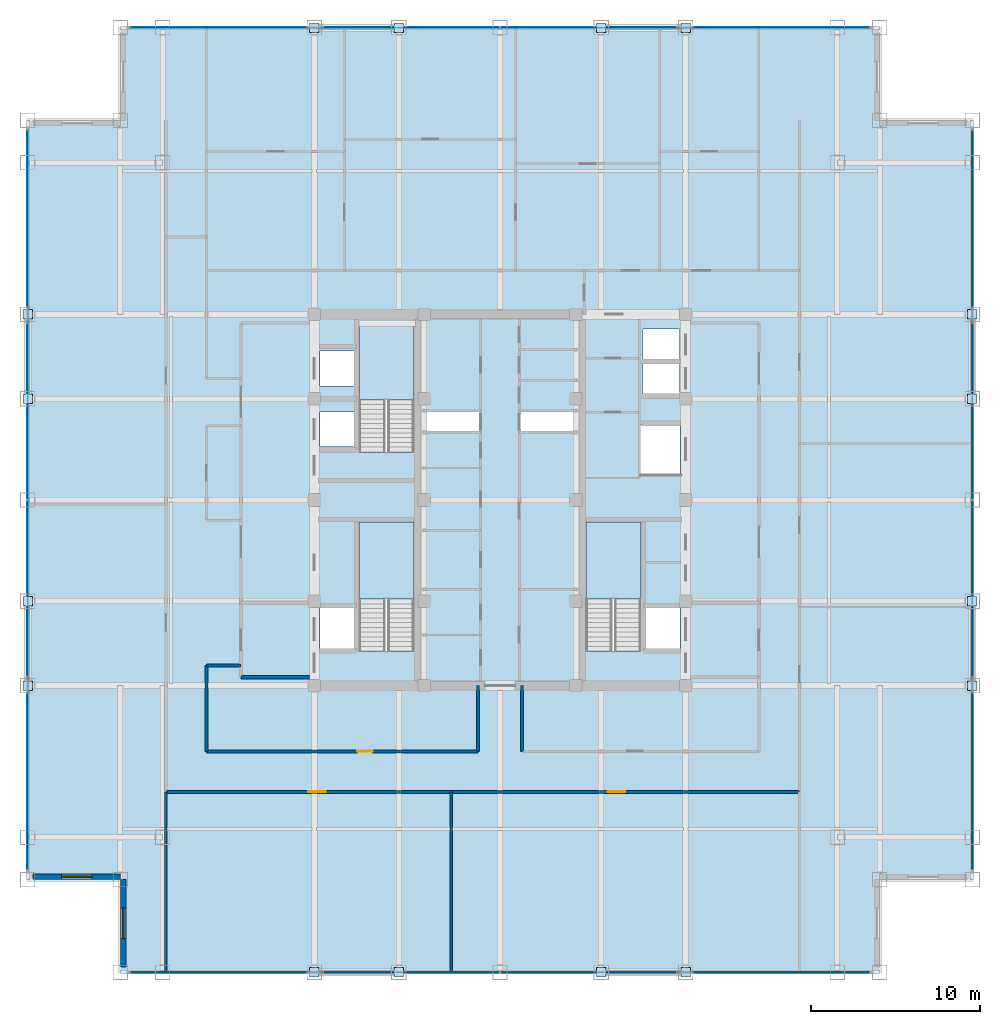
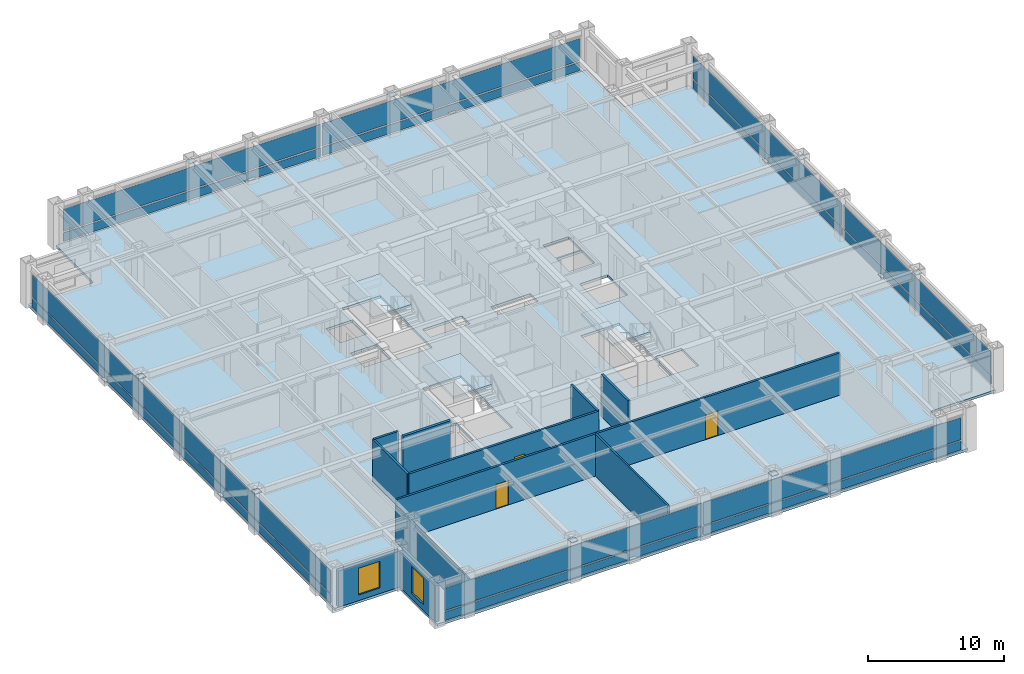
# One storey, part 17 of 22: 32 plates, 11 walls, 4 slabs, 3 doors, 2 windows, 5 openings, 7 elements without a shape of their own.
"""IFC4 building model written with IfcOpenShell, lengths in metres."""

from ifc_helpers import new_model, si_unit, direction, frame, frame_2d, origin, origin_2d, place, context, subcontext, project, spatial, polyline, rectangle, outline, extrude, source, transform, mapped, material, layer, layer_set, type_object, element, fill, aggregate, save


model = new_model("IFC4")

# Units and contexts
model_context = context("Model", 3, precision=1e-05, world=origin(), true_north=direction((0.0, 1.0)))
body_context = subcontext(model_context, "Body", "Model", "MODEL_VIEW")
ifc_project = project(units=[si_unit("LENGTHUNIT", "METRE"), si_unit("AREAUNIT", "SQUARE_METRE"), si_unit("VOLUMEUNIT", "CUBIC_METRE"), si_unit("PLANEANGLEUNIT", "RADIAN"), si_unit("MASSUNIT", "GRAM", prefix="KILO")], contexts=[model_context])

# Site, building, storey
site_placement = place(None, origin())
site = spatial("IfcSite", under=ifc_project, at=site_placement, CompositionType="ELEMENT")
building_placement = place(site_placement, origin())
building = spatial("IfcBuilding", under=site, at=building_placement, Name="Khorayat Bourse Tower", CompositionType="ELEMENT")
storey_placement = place(building_placement, frame((0.0, 0.0, 301.5)))
storey = spatial("IfcBuildingStorey", under=building, at=storey_placement, Name="L71", CompositionType="ELEMENT", Elevation=301.5)

# Stair, slab
ifc_material_1 = material(Name="Concrete C40/50", Category="concrete")
stair_type = type_object("IfcStairType", Name="STR-CORE-1550", PredefinedType="HALF_TURN_STAIR", material=ifc_material_1)
stair_1_placement = place(storey_placement, origin())
stair_1 = element("IfcStair", 1, at=stair_1_placement, inside=storey, type_object=stair_type, Name="L71 Exit Stair ST-1", PredefinedType="HALF_TURN_STAIR")
ifc_layer_1 = layer(ifc_material_1, 0.199951171875)
ifc_layer_set_1 = layer_set([ifc_layer_1], Name="Concrete C40/50")
slab_type_1 = type_object("IfcSlabType", Name="SLB-LANDING-200", PredefinedType="LANDING", material=ifc_layer_set_1)
slab_1_placement = place(storey_placement, frame((0.0, 0.0, 1.800048828125)))
slab_1 = element("IfcSlab", 2, at=slab_1_placement, type_object=slab_type_1, Name="ST-1 landing 1", PredefinedType="LANDING", context=body_context, shape_type="SweptSolid", body=[
    extrude(outline(polyline([(-5.10009765625, -5.8701171875), (-5.10009765625, -1.300048828125), (-8.35009765625, -1.300048828125), (-8.35009765625, -5.8701171875), (-5.10009765625, -5.8701171875)])), origin(), (0.0, 0.0, 1.0), 0.199951171875),
])
aggregate(stair_1, [slab_1])

stair_2_placement = place(storey_placement, origin())
stair_2 = element("IfcStair", 3, at=stair_2_placement, inside=storey, type_object=stair_type, Name="L71 Exit Stair ST-2", PredefinedType="HALF_TURN_STAIR")
slab_2_placement = place(storey_placement, frame((0.0, 0.0, 1.800048828125)))
slab_2 = element("IfcSlab", 4, at=slab_2_placement, type_object=slab_type_1, Name="ST-2 landing 1", PredefinedType="LANDING", context=body_context, shape_type="SweptSolid", body=[
    extrude(outline(polyline([(-5.10009765625, 5.929931640625), (-5.10009765625, 10.5), (-8.35009765625, 10.5), (-8.35009765625, 5.929931640625), (-5.10009765625, 5.929931640625)])), origin(), (0.0, 0.0, 1.0), 0.199951171875),
])
aggregate(stair_2, [slab_2])

stair_3_placement = place(storey_placement, origin())
stair_3 = element("IfcStair", 5, at=stair_3_placement, inside=storey, type_object=stair_type, Name="L71 Exit Stair ST-3", PredefinedType="HALF_TURN_STAIR")
slab_3_placement = place(storey_placement, frame((0.0, 0.0, 1.800048828125)))
slab_3 = element("IfcSlab", 6, at=slab_3_placement, type_object=slab_type_1, Name="ST-3 landing 1", PredefinedType="LANDING", context=body_context, shape_type="SweptSolid", body=[
    extrude(outline(polyline([(8.35009765625, -5.8701171875), (8.35009765625, -1.300048828125), (5.10009765625, -1.300048828125), (5.10009765625, -5.8701171875), (8.35009765625, -5.8701171875)])), origin(), (0.0, 0.0, 1.0), 0.199951171875),
])
aggregate(stair_3, [slab_3])

# Slab
ifc_layer_2 = layer(ifc_material_1, 0.219970703125)
ifc_layer_set_2 = layer_set([ifc_layer_2], Name="Concrete C40/50")
slab_type_2 = type_object("IfcSlabType", Name="SLB-OFFICE-220", PredefinedType="FLOOR", material=ifc_layer_set_2)
slab_4_placement = place(storey_placement, frame((0.0, 0.0, -0.219970703125)))
element("IfcSlab", 7, at=slab_4_placement, inside=storey, type_object=slab_type_2, Name="L71 Main Floor Slab", PredefinedType="FLOOR", context=body_context, shape_type="SweptSolid", body=[
    extrude(outline(polyline([(-22.5, -28.0), (22.5, -28.0), (22.5, -22.5), (28.0, -22.5), (28.0, 22.5), (22.5, 22.5), (22.5, 28.0), (-22.5, 28.0), (-22.5, 22.5), (-28.0, 22.5), (-28.0, -22.5), (-22.5, -22.5), (-22.5, -28.0)]), holes=[polyline([(-8.35009765625, -8.945068359375), (-5.10009765625, -8.945068359375), (-5.10009765625, -1.300048828125), (-8.35009765625, -1.300048828125), (-8.35009765625, -8.945068359375)]), polyline([(-8.35009765625, 2.85498046875), (-5.10009765625, 2.85498046875), (-5.10009765625, 10.5), (-8.35009765625, 10.5), (-8.35009765625, 2.85498046875)]), polyline([(5.10009765625, -8.945068359375), (8.35009765625, -8.945068359375), (8.35009765625, -1.300048828125), (5.10009765625, -1.300048828125), (5.10009765625, -8.945068359375)]), polyline([(-10.679931640625, 3.169921875), (-8.419921875, 3.169921875), (-8.419921875, 5.22998046875), (-10.679931640625, 5.22998046875), (-10.679931640625, 3.169921875)]), polyline([(-10.679931640625, 6.77001953125), (-8.419921875, 6.77001953125), (-8.419921875, 8.830078125), (-10.679931640625, 8.830078125), (-10.679931640625, 6.77001953125)]), polyline([(8.469970703125, 6.27001953125), (10.6298828125, 6.27001953125), (10.6298828125, 8.1298828125), (8.469970703125, 8.1298828125), (8.469970703125, 6.27001953125)]), polyline([(8.469970703125, 8.27001953125), (10.6298828125, 8.27001953125), (10.6298828125, 10.1298828125), (8.469970703125, 10.1298828125), (8.469970703125, 8.27001953125)]), polyline([(-10.679931640625, -8.929931640625), (-8.419921875, -8.929931640625), (-8.419921875, -6.3701171875), (-10.679931640625, -6.3701171875), (-10.679931640625, -8.929931640625)]), polyline([(8.419921875, -8.929931640625), (10.679931640625, -8.929931640625), (10.679931640625, -6.3701171875), (8.419921875, -6.3701171875), (8.419921875, -8.929931640625)]), polyline([(8.320068359375, 1.52001953125), (10.679931640625, 1.52001953125), (10.679931640625, 4.47998046875), (8.320068359375, 4.47998046875), (8.320068359375, 1.52001953125)]), polyline([(-4.56005859375, 4.080078125), (-1.18994140625, 4.080078125), (-1.18994140625, 5.219970703125), (-4.56005859375, 5.219970703125), (-4.56005859375, 4.080078125)]), polyline([(1.18994140625, 4.080078125), (4.56005859375, 4.080078125), (4.56005859375, 5.219970703125), (1.18994140625, 5.219970703125), (1.18994140625, 4.080078125)])]), origin(), (0.0, 0.0, 1.0), 0.219970703125),
])

# Plates
ifc_material_2 = material(Name="Steel EN 10025-2 S355J2", Category="steel")
ifc_layer_3 = layer(ifc_material_2, 0.02490234375)
ifc_layer_set_3 = layer_set([ifc_layer_3], Name="Steel EN 10025-2 S355J2")
plate_type_1 = type_object("IfcPlateType", Name="PLT-ENDCAP-25", PredefinedType="SHEET", material=ifc_layer_set_3)
shared_shape_1 = source(origin(), body_context, "Body", "SweptSolid", [
    extrude(rectangle(XDim=0.56005859375, YDim=0.56005859375, at=origin_2d()), origin(), (0.0, 0.0, 1.0), 0.02490234375),
])
for number, where, z_axis, x_axis, name in (
    (8, (-11.0, -28.0, 3.517578125), (0.0, 0.0, 1.0), (1.0, 0.0, 0.0), "L71 Perimeter Brace End Plate 001"),
    (9, (-6.0, -28.0, 0.237548828125), (0.0, 0.0, 1.0), (1.0, 0.0, 0.0), "L71 Perimeter Brace End Plate 002"),
    (10, (6.0, -28.0, 3.517578125), (0.0, 0.0, 1.0), (1.0, 0.0, 0.0), "L71 Perimeter Brace End Plate 003"),
    (11, (11.0, -28.0, 0.237548828125), (0.0, 0.0, 1.0), (1.0, 0.0, 0.0), "L71 Perimeter Brace End Plate 004"),
    (12, (-11.0, 28.0, 3.517578125), (0.0, 0.0, 1.0), (1.0, 0.0, 0.0), "L71 Perimeter Brace End Plate 005"),
    (13, (-6.0, 28.0, 0.237548828125), (0.0, 0.0, 1.0), (1.0, 0.0, 0.0), "L71 Perimeter Brace End Plate 006"),
    (14, (6.0, 28.0, 3.517578125), (0.0, 0.0, 1.0), (1.0, 0.0, 0.0), "L71 Perimeter Brace End Plate 007"),
    (15, (11.0, 28.0, 0.237548828125), (0.0, 0.0, 1.0), (1.0, 0.0, 0.0), "L71 Perimeter Brace End Plate 008"),
    (16, (-28.0, -11.0, 3.517578125), (0.0, 0.0, 1.0), (1.0, 0.0, 0.0), "L71 Perimeter Brace End Plate 009"),
    (17, (-28.0, -6.0, 0.237548828125), (0.0, 0.0, 1.0), (1.0, 0.0, 0.0), "L71 Perimeter Brace End Plate 010"),
    (18, (-28.0, 6.0, 3.517578125), (0.0, 0.0, 1.0), (1.0, 0.0, 0.0), "L71 Perimeter Brace End Plate 011"),
    (19, (-28.0, 11.0, 0.237548828125), (0.0, 0.0, 1.0), (1.0, 0.0, 0.0), "L71 Perimeter Brace End Plate 012"),
    (20, (28.0, -11.0, 3.517578125), (0.0, 0.0, 1.0), (1.0, 0.0, 0.0), "L71 Perimeter Brace End Plate 013"),
    (21, (28.0, -6.0, 0.237548828125), (0.0, 0.0, 1.0), (1.0, 0.0, 0.0), "L71 Perimeter Brace End Plate 014"),
    (22, (28.0, 6.0, 3.517578125), (0.0, 0.0, 1.0), (1.0, 0.0, 0.0), "L71 Perimeter Brace End Plate 015"),
    (23, (28.0, 11.0, 0.237548828125), (0.0, 0.0, 1.0), (1.0, 0.0, 0.0), "L71 Perimeter Brace End Plate 016"),
):
    element("IfcPlate", number, at=place(storey_placement, frame(where, z_axis=z_axis, x_axis=x_axis)), inside=storey, type_object=plate_type_1, Name=name, PredefinedType="SHEET", context=body_context, shape_type="MappedRepresentation", body=[
        mapped(shared_shape_1, transform((0.0, 0.0, 0.0), scale=1.0)),
    ])

# Curtain wall, plates
ifc_material_3 = material(Name="Aluminium EN AW-6063 T6", Category="aluminium")
curtain_wall_type = type_object("IfcCurtainWallType", Name="CW-SYS-04", PredefinedType="NOTDEFINED", material=ifc_material_3)
curtain_wall_1_placement = place(storey_placement, origin())
curtain_wall_1 = element("IfcCurtainWall", 24, at=curtain_wall_1_placement, inside=storey, type_object=curtain_wall_type, Name="L71 Curtain Wall CW-L71-S1", PredefinedType="NOTDEFINED")
ifc_material_4 = material(Name="Honed desert limestone insulated spandrel", Category="masonry")
ifc_layer_4 = layer(ifc_material_4, 0.06494140625)
ifc_layer_set_4 = layer_set([ifc_layer_4], Name="Honed desert limestone insulated spandrel")
plate_type_2 = type_object("IfcPlateType", Name="CWP-SPAND-03", PredefinedType="CURTAIN_PANEL", material=ifc_layer_set_4)
shared_shape_2 = source(origin(), body_context, "Body", "SweptSolid", [
    extrude(rectangle(XDim=21.820068359375, YDim=0.06494140625, at=origin_2d()), origin(), (0.0, 0.0, 1.0), 0.77001953125),
])
plate_1_placement = place(storey_placement, frame((-10.969970703125, -28.0, 0.119873046875), z_axis=(0.0, 0.0, 1.0), x_axis=(1.0, 0.0, 0.0)))
plate_1 = element("IfcPlate", 25, at=plate_1_placement, type_object=plate_type_2, Name="CW-L71-S1 Spandrel Panel 1-1", PredefinedType="CURTAIN_PANEL", context=body_context, shape_type="MappedRepresentation", body=[
    mapped(shared_shape_2, transform((0.0, 0.0, 0.0), scale=1.0)),
])
plate_2_placement = place(storey_placement, frame((10.969970703125, -28.0, 0.119873046875), z_axis=(0.0, 0.0, 1.0), x_axis=(1.0, 0.0, 0.0)))
plate_2 = element("IfcPlate", 26, at=plate_2_placement, type_object=plate_type_2, Name="CW-L71-S1 Spandrel Panel 2-1", PredefinedType="CURTAIN_PANEL", context=body_context, shape_type="MappedRepresentation", body=[
    mapped(shared_shape_2, transform((0.0, 0.0, 0.0), scale=1.0)),
])

curtain_wall_2_placement = place(storey_placement, origin())
curtain_wall_2 = element("IfcCurtainWall", 27, at=curtain_wall_2_placement, inside=storey, type_object=curtain_wall_type, Name="L71 Curtain Wall CW-L71-N1", PredefinedType="NOTDEFINED")
plate_3_placement = place(storey_placement, frame((-10.969970703125, 28.0, 0.119873046875), z_axis=(0.0, 0.0, 1.0), x_axis=(1.0, 0.0, 0.0)))
plate_3 = element("IfcPlate", 28, at=plate_3_placement, type_object=plate_type_2, Name="CW-L71-N1 Spandrel Panel 1-1", PredefinedType="CURTAIN_PANEL", context=body_context, shape_type="MappedRepresentation", body=[
    mapped(shared_shape_2, transform((0.0, 0.0, 0.0), scale=1.0)),
])
plate_4_placement = place(storey_placement, frame((10.969970703125, 28.0, 0.119873046875), z_axis=(0.0, 0.0, 1.0), x_axis=(1.0, 0.0, 0.0)))
plate_4 = element("IfcPlate", 29, at=plate_4_placement, type_object=plate_type_2, Name="CW-L71-N1 Spandrel Panel 2-1", PredefinedType="CURTAIN_PANEL", context=body_context, shape_type="MappedRepresentation", body=[
    mapped(shared_shape_2, transform((0.0, 0.0, 0.0), scale=1.0)),
])

curtain_wall_3_placement = place(storey_placement, origin())
curtain_wall_3 = element("IfcCurtainWall", 30, at=curtain_wall_3_placement, inside=storey, type_object=curtain_wall_type, Name="L71 Curtain Wall CW-L71-W1", PredefinedType="NOTDEFINED")
plate_5_placement = place(storey_placement, frame((-28.0, -10.969970703125, 0.119873046875), z_axis=(0.0, 0.0, 1.0), x_axis=(0.0, 1.0, 0.0)))
plate_5 = element("IfcPlate", 31, at=plate_5_placement, type_object=plate_type_2, Name="CW-L71-W1 Spandrel Panel 1-1", PredefinedType="CURTAIN_PANEL", context=body_context, shape_type="MappedRepresentation", body=[
    mapped(shared_shape_2, transform((0.0, 0.0, 0.0), scale=1.0)),
])
plate_6_placement = place(storey_placement, frame((-28.0, 10.969970703125, 0.119873046875), z_axis=(0.0, 0.0, 1.0), x_axis=(0.0, 1.0, 0.0)))
plate_6 = element("IfcPlate", 32, at=plate_6_placement, type_object=plate_type_2, Name="CW-L71-W1 Spandrel Panel 2-1", PredefinedType="CURTAIN_PANEL", context=body_context, shape_type="MappedRepresentation", body=[
    mapped(shared_shape_2, transform((0.0, 0.0, 0.0), scale=1.0)),
])

curtain_wall_4_placement = place(storey_placement, origin())
curtain_wall_4 = element("IfcCurtainWall", 33, at=curtain_wall_4_placement, inside=storey, type_object=curtain_wall_type, Name="L71 Curtain Wall CW-L71-E1", PredefinedType="NOTDEFINED")
plate_7_placement = place(storey_placement, frame((28.0, -10.969970703125, 0.119873046875), z_axis=(0.0, 0.0, 1.0), x_axis=(0.0, 1.0, 0.0)))
plate_7 = element("IfcPlate", 34, at=plate_7_placement, type_object=plate_type_2, Name="CW-L71-E1 Spandrel Panel 1-1", PredefinedType="CURTAIN_PANEL", context=body_context, shape_type="MappedRepresentation", body=[
    mapped(shared_shape_2, transform((0.0, 0.0, 0.0), scale=1.0)),
])
plate_8_placement = place(storey_placement, frame((28.0, 10.969970703125, 0.119873046875), z_axis=(0.0, 0.0, 1.0), x_axis=(0.0, 1.0, 0.0)))
plate_8 = element("IfcPlate", 35, at=plate_8_placement, type_object=plate_type_2, Name="CW-L71-E1 Spandrel Panel 2-1", PredefinedType="CURTAIN_PANEL", context=body_context, shape_type="MappedRepresentation", body=[
    mapped(shared_shape_2, transform((0.0, 0.0, 0.0), scale=1.0)),
])

# Plate
ifc_material_5 = material(Name="Low-E solar-control laminated double glazing", Category="glass")
ifc_layer_5 = layer(ifc_material_5, 0.0419921875)
ifc_layer_set_5 = layer_set([ifc_layer_5], Name="Low-E solar-control laminated double glazing")
plate_type_3 = type_object("IfcPlateType", Name="CWP-FACET-02", PredefinedType="CURTAIN_PANEL", material=ifc_layer_set_5)
shared_shape_3 = source(origin(), body_context, "Body", "SweptSolid", [
    extrude(rectangle(XDim=21.820068359375, YDim=0.0419921875, at=origin_2d()), origin(), (0.0, 0.0, 1.0), 2.0),
])
plate_9_placement = place(storey_placement, frame((-10.969970703125, -28.0, 1.010009765625), z_axis=(0.0, 0.0, 1.0), x_axis=(1.0, 0.0, 0.0)))
plate_9 = element("IfcPlate", 36, at=plate_9_placement, type_object=plate_type_3, Name="CW-L71-S1 Vision Panel 1-2", PredefinedType="CURTAIN_PANEL", context=body_context, shape_type="MappedRepresentation", body=[
    mapped(shared_shape_3, transform((0.0, 0.0, 0.0), scale=1.0)),
])

plate_10_placement = place(storey_placement, frame((10.969970703125, -28.0, 1.010009765625), z_axis=(0.0, 0.0, 1.0), x_axis=(1.0, 0.0, 0.0)))
plate_10 = element("IfcPlate", 37, at=plate_10_placement, type_object=plate_type_3, Name="CW-L71-S1 Vision Panel 2-2", PredefinedType="CURTAIN_PANEL", context=body_context, shape_type="MappedRepresentation", body=[
    mapped(shared_shape_3, transform((0.0, 0.0, 0.0), scale=1.0)),
])

aggregate(curtain_wall_1, [plate_1, plate_9, plate_2, plate_10])

plate_11_placement = place(storey_placement, frame((-10.969970703125, 28.0, 1.010009765625), z_axis=(0.0, 0.0, 1.0), x_axis=(1.0, 0.0, 0.0)))
plate_11 = element("IfcPlate", 38, at=plate_11_placement, type_object=plate_type_3, Name="CW-L71-N1 Vision Panel 1-2", PredefinedType="CURTAIN_PANEL", context=body_context, shape_type="MappedRepresentation", body=[
    mapped(shared_shape_3, transform((0.0, 0.0, 0.0), scale=1.0)),
])

plate_12_placement = place(storey_placement, frame((10.969970703125, 28.0, 1.010009765625), z_axis=(0.0, 0.0, 1.0), x_axis=(1.0, 0.0, 0.0)))
plate_12 = element("IfcPlate", 39, at=plate_12_placement, type_object=plate_type_3, Name="CW-L71-N1 Vision Panel 2-2", PredefinedType="CURTAIN_PANEL", context=body_context, shape_type="MappedRepresentation", body=[
    mapped(shared_shape_3, transform((0.0, 0.0, 0.0), scale=1.0)),
])

aggregate(curtain_wall_2, [plate_3, plate_11, plate_4, plate_12])

plate_13_placement = place(storey_placement, frame((-28.0, -10.969970703125, 1.010009765625), z_axis=(0.0, 0.0, 1.0), x_axis=(0.0, 1.0, 0.0)))
plate_13 = element("IfcPlate", 40, at=plate_13_placement, type_object=plate_type_3, Name="CW-L71-W1 Vision Panel 1-2", PredefinedType="CURTAIN_PANEL", context=body_context, shape_type="MappedRepresentation", body=[
    mapped(shared_shape_3, transform((0.0, 0.0, 0.0), scale=1.0)),
])

plate_14_placement = place(storey_placement, frame((-28.0, 10.969970703125, 1.010009765625), z_axis=(0.0, 0.0, 1.0), x_axis=(0.0, 1.0, 0.0)))
plate_14 = element("IfcPlate", 41, at=plate_14_placement, type_object=plate_type_3, Name="CW-L71-W1 Vision Panel 2-2", PredefinedType="CURTAIN_PANEL", context=body_context, shape_type="MappedRepresentation", body=[
    mapped(shared_shape_3, transform((0.0, 0.0, 0.0), scale=1.0)),
])

aggregate(curtain_wall_3, [plate_5, plate_13, plate_6, plate_14])

plate_15_placement = place(storey_placement, frame((28.0, -10.969970703125, 1.010009765625), z_axis=(0.0, 0.0, 1.0), x_axis=(0.0, 1.0, 0.0)))
plate_15 = element("IfcPlate", 42, at=plate_15_placement, type_object=plate_type_3, Name="CW-L71-E1 Vision Panel 1-2", PredefinedType="CURTAIN_PANEL", context=body_context, shape_type="MappedRepresentation", body=[
    mapped(shared_shape_3, transform((0.0, 0.0, 0.0), scale=1.0)),
])

plate_16_placement = place(storey_placement, frame((28.0, 10.969970703125, 1.010009765625), z_axis=(0.0, 0.0, 1.0), x_axis=(0.0, 1.0, 0.0)))
plate_16 = element("IfcPlate", 43, at=plate_16_placement, type_object=plate_type_3, Name="CW-L71-E1 Vision Panel 2-2", PredefinedType="CURTAIN_PANEL", context=body_context, shape_type="MappedRepresentation", body=[
    mapped(shared_shape_3, transform((0.0, 0.0, 0.0), scale=1.0)),
])

aggregate(curtain_wall_4, [plate_7, plate_15, plate_8, plate_16])

# Wall, opening, window
ifc_material_6 = material(Name="Precast concrete C45/55", Category="concrete")
ifc_layer_6 = layer(ifc_material_6, 0.320068359375)
ifc_layer_set_6 = layer_set([ifc_layer_6], Name="Precast concrete C45/55")
wall_type_1 = type_object("IfcWallType", Name="WAL-EXT-STONE-320", PredefinedType="STANDARD", material=ifc_layer_set_6)
shared_shape_4 = source(origin(), body_context, "Body", "SweptSolid", [
    extrude(rectangle(XDim=5.179931640625, YDim=0.320068359375, at=frame_2d((2.58984375, 0.0))), origin(), (0.0, 0.0, 1.0), 3.23095703125),
])
wall_1_placement = place(storey_placement, frame((-22.5, -22.340087890625, 0.0), z_axis=(0.0, 0.0, 1.0), x_axis=(-1.0, 0.0, 0.0)))
wall_1 = element("IfcWall", 44, at=wall_1_placement, inside=storey, type_object=wall_type_1, Name="L71 Re-Entrant Notch Limestone Wall SW-H", PredefinedType="STANDARD", context=body_context, shape_type="MappedRepresentation", body=[
    mapped(shared_shape_4, transform((0.0, 0.0, 0.0), scale=1.0)),
])
shared_shape_5 = source(origin(), body_context, "Body", "SweptSolid", [
    extrude(rectangle(XDim=1.800048828125, YDim=2.39990234375, at=frame_2d((0.89990234375, 1.199951171875))), frame((0.0, 0.169921875, 0.0), z_axis=(0.0, -1.0, 0.0), x_axis=(1.0, 0.0, 0.0)), (0.0, 0.0, 1.0), 0.340087890625),
])
opening_1_placement = place(wall_1_placement, frame((1.68994140625, 0.0, 0.5)))
opening_1 = element("IfcOpeningElement", 45, at=opening_1_placement, cuts=wall_1, Name="Opening WN-04", PredefinedType="OPENING", context=body_context, shape_type="MappedRepresentation", body=[
    mapped(shared_shape_5, transform((0.0, 0.0, 0.0), scale=1.0)),
])
ifc_material_7 = material(Name="Low-E acoustic laminated double glazing", Category="glass")
window_type = type_object("IfcWindowType", Name="WIN-NOTCH-1800x2400", PartitioningType="SINGLE_PANEL", PredefinedType="WINDOW", material=ifc_material_7)
shared_shape_6 = source(origin(), body_context, "Body", "SweptSolid", [
    extrude(rectangle(XDim=1.800048828125, YDim=2.39990234375, at=frame_2d((0.89990234375, 1.199951171875))), frame((0.0, 0.030029296875, 0.0), z_axis=(0.0, -1.0, 0.0), x_axis=(1.0, 0.0, 0.0)), (0.0, 0.0, 1.0), 0.06005859375),
])
window_1_placement = place(opening_1_placement, origin())
window_1 = element("IfcWindow", 46, at=window_1_placement, inside=storey, type_object=window_type, Name="L71 Facade Window 1", OverallHeight=2.39990234375, OverallWidth=1.800048828125, PartitioningType="SINGLE_PANEL", PredefinedType="WINDOW", context=body_context, shape_type="MappedRepresentation", body=[
    mapped(shared_shape_6, transform((0.0, 0.0, 0.0), scale=1.0)),
])
fill(opening_1, window_1)

wall_2_placement = place(storey_placement, frame((-22.340087890625, -27.679931640625, 0.0), z_axis=(0.0, 0.0, 1.0), x_axis=(0.0, 1.0, 0.0)))
wall_2 = element("IfcWall", 47, at=wall_2_placement, inside=storey, type_object=wall_type_1, Name="L71 Re-Entrant Notch Limestone Wall SW-V", PredefinedType="STANDARD", context=body_context, shape_type="MappedRepresentation", body=[
    mapped(shared_shape_4, transform((0.0, 0.0, 0.0), scale=1.0)),
])
opening_2_placement = place(wall_2_placement, frame((1.68994140625, 0.0, 0.5)))
opening_2 = element("IfcOpeningElement", 48, at=opening_2_placement, cuts=wall_2, Name="Opening WN-04", PredefinedType="OPENING", context=body_context, shape_type="MappedRepresentation", body=[
    mapped(shared_shape_5, transform((0.0, 0.0, 0.0), scale=1.0)),
])
window_2_placement = place(opening_2_placement, origin())
window_2 = element("IfcWindow", 49, at=window_2_placement, inside=storey, type_object=window_type, Name="L71 Facade Window 1", OverallHeight=2.39990234375, OverallWidth=1.800048828125, PartitioningType="SINGLE_PANEL", PredefinedType="WINDOW", context=body_context, shape_type="MappedRepresentation", body=[
    mapped(shared_shape_6, transform((0.0, 0.0, 0.0), scale=1.0)),
])
fill(opening_2, window_2)

# Walls
ifc_material_8 = material(Name="Aerated concrete blockwork", Category="masonry")
ifc_layer_7 = layer(ifc_material_8, 0.219970703125)
ifc_layer_set_7 = layer_set([ifc_layer_7], Name="Aerated concrete blockwork")
wall_type_2 = type_object("IfcWallType", Name="WAL-PART-FF-220", PredefinedType="PARTITIONING", material=ifc_layer_set_7)
shared_shape_7 = source(origin(), body_context, "Body", "SweptSolid", [
    extrude(rectangle(XDim=4.050048828125, YDim=0.219970703125, at=frame_2d((2.02490234375, 0.0))), origin(), (0.0, 0.0, 1.0), 3.780029296875),
])
wall_3_placement = place(storey_placement, frame((-15.35009765625, -10.5, 0.0), z_axis=(0.0, 0.0, 1.0), x_axis=(1.0, 0.0, 0.0)))
element("IfcWall", 50, at=wall_3_placement, inside=storey, type_object=wall_type_2, Name="L71 Partition WAL-L71-FFLW-S", PredefinedType="PARTITIONING", context=body_context, shape_type="MappedRepresentation", body=[
    mapped(shared_shape_7, transform((0.0, 0.0, 0.0), scale=1.0)),
])
ifc_material_9 = material(Name="Gypsum plasterboard acoustic stud wall")
ifc_layer_8 = layer(ifc_material_9, 0.179931640625)
ifc_layer_set_8 = layer_set([ifc_layer_8], Name="Gypsum plasterboard acoustic stud wall")
wall_type_3 = type_object("IfcWallType", Name="WAL-PART-CORR-180", PredefinedType="PARTITIONING", material=ifc_layer_set_8)
shared_shape_8 = source(origin(), body_context, "Body", "SweptSolid", [
    extrude(rectangle(XDim=2.0498046875, YDim=0.179931640625, at=frame_2d((1.02490234375, 0.0))), origin(), (0.0, 0.0, 1.0), 3.780029296875),
])
wall_4_placement = place(storey_placement, frame((-17.39990234375, -9.800048828125, 0.0), z_axis=(0.0, 0.0, 1.0), x_axis=(1.0, 0.0, 0.0)))
element("IfcWall", 51, at=wall_4_placement, inside=storey, type_object=wall_type_3, Name="L71 Partition WAL-L71-THRW-S", PredefinedType="PARTITIONING", context=body_context, shape_type="MappedRepresentation", body=[
    mapped(shared_shape_8, transform((0.0, 0.0, 0.0), scale=1.0)),
])

# Wall, opening, door
shared_shape_9 = source(origin(), body_context, "Body", "SweptSolid", [
    extrude(rectangle(XDim=16.099853515625, YDim=0.179931640625, at=frame_2d((8.0498046875, 0.0))), origin(), (0.0, 0.0, 1.0), 3.780029296875),
])
wall_5_placement = place(storey_placement, frame((-17.39990234375, -14.89990234375, 0.0), z_axis=(0.0, 0.0, 1.0), x_axis=(1.0, 0.0, 0.0)))
wall_5 = element("IfcWall", 52, at=wall_5_placement, inside=storey, type_object=wall_type_3, Name="L71 Partition WAL-L71-PKSW-S", PredefinedType="PARTITIONING", context=body_context, shape_type="MappedRepresentation", body=[
    mapped(shared_shape_9, transform((0.0, 0.0, 0.0), scale=1.0)),
])
shared_shape_10 = source(origin(), body_context, "Body", "SweptSolid", [
    extrude(rectangle(XDim=0.89990234375, YDim=2.14990234375, at=frame_2d((0.449951171875, 1.074951171875))), frame((0.0, 0.099853515625, 0.0), z_axis=(0.0, -1.0, 0.0), x_axis=(1.0, 0.0, 0.0)), (0.0, 0.0, 1.0), 0.199951171875),
])
opening_3_placement = place(wall_5_placement, frame((8.949951171875, 0.0, 0.0)))
opening_3 = element("IfcOpeningElement", 53, at=opening_3_placement, cuts=wall_5, Name="Opening DI-06", PredefinedType="OPENING", context=body_context, shape_type="MappedRepresentation", body=[
    mapped(shared_shape_10, transform((0.0, 0.0, 0.0), scale=1.0)),
])
ifc_material_10 = material(Name="Moisture-resistant laminate washroom door")
door_type_1 = type_object("IfcDoorType", Name="DR-INT-WC-900", OperationType="NOTDEFINED", PredefinedType="DOOR", material=ifc_material_10)
shared_shape_11 = source(origin(), body_context, "Body", "SweptSolid", [
    extrude(rectangle(XDim=0.89990234375, YDim=2.14990234375, at=frame_2d((0.449951171875, 1.074951171875))), frame((0.0, 0.02490234375, 0.0), z_axis=(0.0, -1.0, 0.0), x_axis=(1.0, 0.0, 0.0)), (0.0, 0.0, 1.0), 0.050048828125),
])
door_1_placement = place(opening_3_placement, origin())
door_1 = element("IfcDoor", 54, at=door_1_placement, inside=storey, type_object=door_type_1, Name="L71 SW Inboard Pantry Door", OperationType="SINGLE_SWING_LEFT", OverallHeight=2.14990234375, OverallWidth=0.89990234375, PredefinedType="DOOR", context=body_context, shape_type="MappedRepresentation", body=[
    mapped(shared_shape_11, transform((0.0, 0.0, 0.0), scale=1.0)),
])
fill(opening_3, door_1)

# Wall, openings, doors
shared_shape_12 = source(origin(), body_context, "Body", "SweptSolid", [
    extrude(rectangle(XDim=37.550048828125, YDim=0.179931640625, at=frame_2d((18.77490234375, 0.0))), origin(), (0.0, 0.0, 1.0), 3.780029296875),
])
wall_6_placement = place(storey_placement, frame((-19.800048828125, -17.300048828125, 0.0), z_axis=(0.0, 0.0, 1.0), x_axis=(1.0, 0.0, 0.0)))
wall_6 = element("IfcWall", 55, at=wall_6_placement, inside=storey, type_object=wall_type_3, Name="L71 Partition WAL-L71-SCORR", PredefinedType="PARTITIONING", context=body_context, shape_type="MappedRepresentation", body=[
    mapped(shared_shape_12, transform((0.0, 0.0, 0.0), scale=1.0)),
])
shared_shape_13 = source(origin(), body_context, "Body", "SweptSolid", [
    extrude(rectangle(XDim=1.050048828125, YDim=2.199951171875, at=frame_2d((0.52490234375, 1.10009765625))), frame((0.0, 0.099853515625, 0.0), z_axis=(0.0, -1.0, 0.0), x_axis=(1.0, 0.0, 0.0)), (0.0, 0.0, 1.0), 0.199951171875),
])
opening_4_placement = place(wall_6_placement, frame((8.423583984375, 0.0, 0.0)))
opening_4 = element("IfcOpeningElement", 56, at=opening_4_placement, cuts=wall_6, Name="Opening DI-04", PredefinedType="OPENING", context=body_context, shape_type="MappedRepresentation", body=[
    mapped(shared_shape_13, transform((0.0, 0.0, 0.0), scale=1.0)),
])
opening_5_placement = place(wall_6_placement, frame((26.173583984375, 0.0, 0.0)))
opening_5 = element("IfcOpeningElement", 57, at=opening_5_placement, cuts=wall_6, Name="Opening DI-04", PredefinedType="OPENING", context=body_context, shape_type="MappedRepresentation", body=[
    mapped(shared_shape_13, transform((0.0, 0.0, 0.0), scale=1.0)),
])
ifc_material_11 = material(Name="Fire-rated oak veneer suite entrance door")
door_type_2 = type_object("IfcDoorType", Name="DR-INT-SUITE-1050", OperationType="NOTDEFINED", PredefinedType="DOOR", material=ifc_material_11)
shared_shape_14 = source(origin(), body_context, "Body", "SweptSolid", [
    extrude(rectangle(XDim=1.050048828125, YDim=2.199951171875, at=frame_2d((0.52490234375, 1.10009765625))), frame((0.0, 0.02490234375, 0.0), z_axis=(0.0, -1.0, 0.0), x_axis=(1.0, 0.0, 0.0)), (0.0, 0.0, 1.0), 0.050048828125),
])
door_2_placement = place(opening_4_placement, origin())
door_2 = element("IfcDoor", 58, at=door_2_placement, inside=storey, type_object=door_type_2, Name="L71 Issuer Listing Showroom S1 Door", OperationType="SINGLE_SWING_RIGHT", OverallHeight=2.199951171875, OverallWidth=1.050048828125, PredefinedType="DOOR", context=body_context, shape_type="MappedRepresentation", body=[
    mapped(shared_shape_14, transform((0.0, 0.0, 0.0), scale=1.0)),
])
fill(opening_4, door_2)
door_3_placement = place(opening_5_placement, origin())
door_3 = element("IfcDoor", 59, at=door_3_placement, inside=storey, type_object=door_type_2, Name="L71 Brokerage Member Kiosk S2 Door", OperationType="SINGLE_SWING_LEFT", OverallHeight=2.199951171875, OverallWidth=1.050048828125, PredefinedType="DOOR", context=body_context, shape_type="MappedRepresentation", body=[
    mapped(shared_shape_14, transform((0.0, 0.0, 0.0), scale=1.0)),
])
fill(opening_5, door_3)

# Walls
shared_shape_15 = source(origin(), body_context, "Body", "SweptSolid", [
    extrude(rectangle(XDim=5.099853515625, YDim=0.179931640625, at=frame_2d((2.5498046875, 0.0))), origin(), (0.0, 0.0, 1.0), 3.780029296875),
])
wall_7_placement = place(storey_placement, frame((-17.39990234375, -14.89990234375, 0.0), z_axis=(0.0, 0.0, 1.0), x_axis=(0.0, 1.0, 0.0)))
element("IfcWall", 60, at=wall_7_placement, inside=storey, type_object=wall_type_3, Name="L71 Partition WAL-L71-PKSW-W", PredefinedType="PARTITIONING", context=body_context, shape_type="MappedRepresentation", body=[
    mapped(shared_shape_15, transform((0.0, 0.0, 0.0), scale=1.0)),
])
shared_shape_16 = source(origin(), body_context, "Body", "SweptSolid", [
    extrude(rectangle(XDim=3.89990234375, YDim=0.179931640625, at=frame_2d((1.949951171875, 0.0))), origin(), (0.0, 0.0, 1.0), 3.780029296875),
])
for number, where, z_axis, x_axis, name in (
    (61, (-1.300048828125, -14.89990234375, 0.0), (0.0, 0.0, 1.0), (0.0, 1.0, 0.0), "L71 Partition WAL-L71-PKSW-E"),
    (62, (1.300048828125, -14.89990234375, 0.0), (0.0, 0.0, 1.0), (0.0, 1.0, 0.0), "L71 Partition WAL-L71-PKSE-W"),
):
    element("IfcWall", number, at=place(storey_placement, frame(where, z_axis=z_axis, x_axis=x_axis)), inside=storey, type_object=wall_type_3, Name=name, PredefinedType="PARTITIONING", context=body_context, shape_type="MappedRepresentation", body=[
        mapped(shared_shape_16, transform((0.0, 0.0, 0.0), scale=1.0)),
    ])
ifc_material_12 = material(Name="Gypsum plasterboard twin-frame partition")
ifc_layer_9 = layer(ifc_material_12, 0.14990234375)
ifc_layer_set_9 = layer_set([ifc_layer_9], Name="Gypsum plasterboard twin-frame partition")
wall_type_4 = type_object("IfcWallType", Name="WAL-PART-SUITE-150", PredefinedType="PARTITIONING", material=ifc_layer_set_9)
shared_shape_17 = source(origin(), body_context, "Body", "SweptSolid", [
    extrude(rectangle(XDim=10.699951171875, YDim=0.14990234375, at=frame_2d((5.35009765625, 0.0))), origin(), (0.0, 0.0, 1.0), 3.780029296875),
])
wall_8_placement = place(storey_placement, frame((-2.902587890625, -28.0, 0.0), z_axis=(0.0, 0.0, 1.0), x_axis=(0.0, 1.0, 0.0)))
element("IfcWall", 63, at=wall_8_placement, inside=storey, type_object=wall_type_4, Name="L71 Partition WAL-L71-SDV-1", PredefinedType="PARTITIONING", context=body_context, shape_type="MappedRepresentation", body=[
    mapped(shared_shape_17, transform((0.0, 0.0, 0.0), scale=1.0)),
])
shared_shape_18 = source(origin(), body_context, "Body", "SweptSolid", [
    extrude(rectangle(XDim=10.699951171875, YDim=0.14990234375, at=frame_2d((5.35009765625, 0.0))), origin(), (0.0, 0.0, 1.0), 3.1640625),
])
wall_9_placement = place(storey_placement, frame((-19.800048828125, -28.0, 0.0), z_axis=(0.0, 0.0, 1.0), x_axis=(0.0, 1.0, 0.0)))
element("IfcWall", 64, at=wall_9_placement, inside=storey, type_object=wall_type_4, Name="L71 Partition WAL-L71-SCW-END", PredefinedType="PARTITIONING", context=body_context, shape_type="MappedRepresentation", body=[
    mapped(shared_shape_18, transform((0.0, 0.0, 0.0), scale=1.0)),
])

save(model, "model.ifc")
